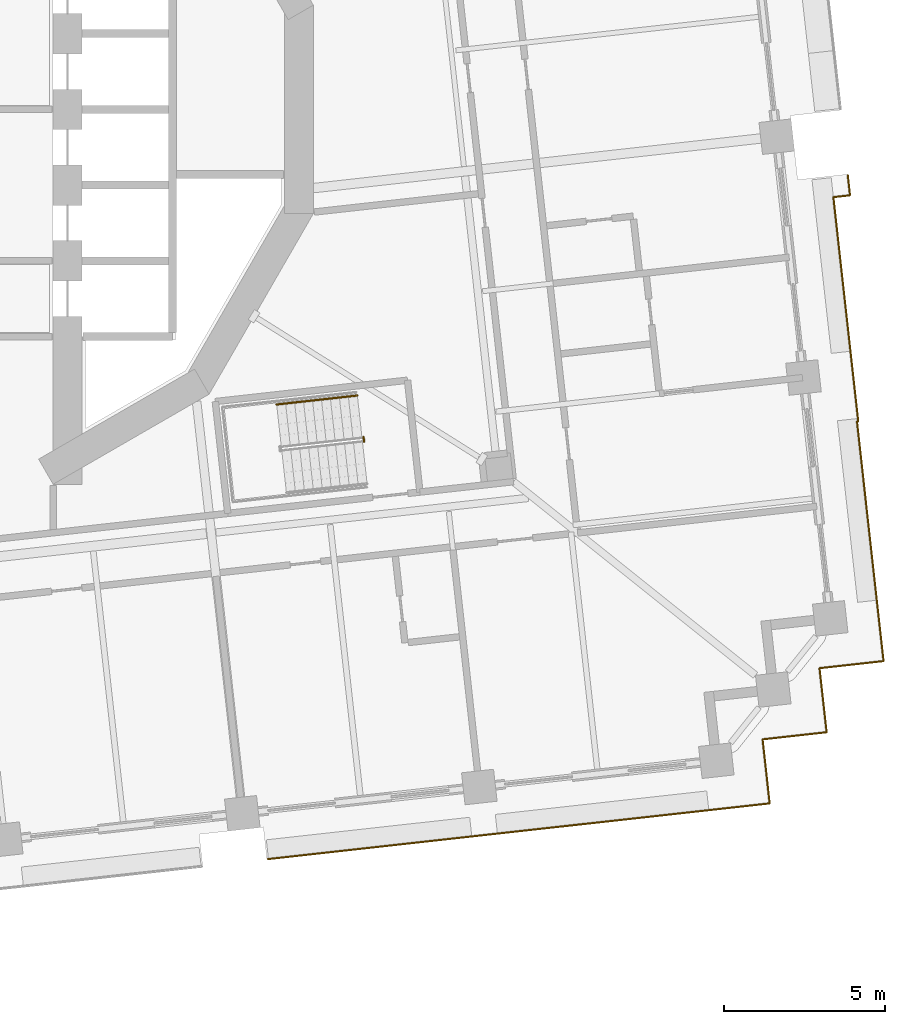
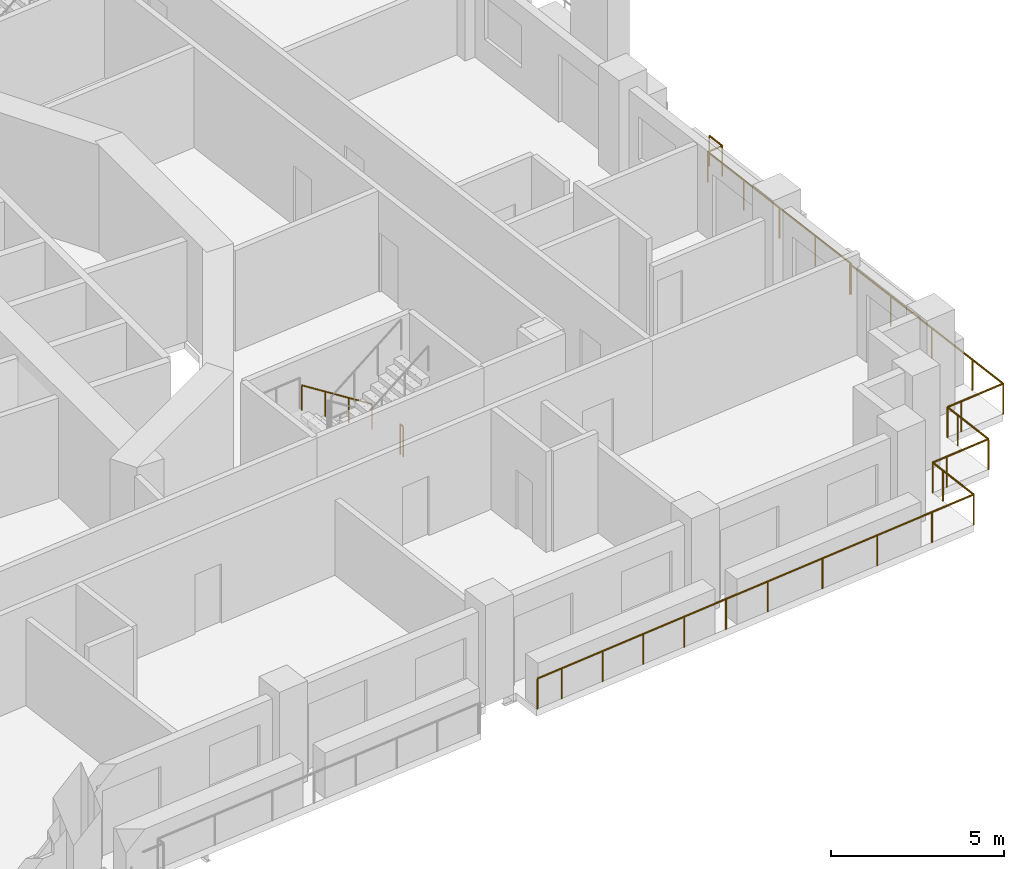
# One storey, part 17 of 21: 4 railings.
"""IFC4 building model written with IfcOpenShell, lengths in metres."""

from ifc_helpers import new_model, si_unit, direction, frame, origin, origin_2d, place, context, subcontext, project, spatial, circle, extrude, material, type_object, element, save


model = new_model("IFC4")

# Units and contexts
model_context = context("Model", 3, precision=1e-05, world=origin(), true_north=direction((0.0, 1.0)))
body_context = subcontext(model_context, "Body", "Model", "MODEL_VIEW")
ifc_project = project(units=[si_unit("LENGTHUNIT", "METRE"), si_unit("AREAUNIT", "SQUARE_METRE"), si_unit("VOLUMEUNIT", "CUBIC_METRE"), si_unit("PLANEANGLEUNIT", "RADIAN"), si_unit("MASSUNIT", "GRAM", prefix="KILO")], contexts=[model_context])

# Site, building, storey
site_placement = place(None, origin())
site = spatial("IfcSite", under=ifc_project, at=site_placement, CompositionType="ELEMENT")
building_placement = place(site_placement, origin())
building = spatial("IfcBuilding", under=site, at=building_placement, Name="Cantera Rosa Tower", CompositionType="ELEMENT")
storey_placement = place(building_placement, frame((0.0, 0.0, 72.89990234375)))
storey = spatial("IfcBuildingStorey", under=building, at=storey_placement, Name="L15", CompositionType="ELEMENT", Elevation=72.89990234375)

# Railings
ifc_material_1 = material(Name="Stainless steel and laminated glass", Category="steel")
railing_type_1 = type_object("IfcRailingType", Name="GUARD 1100", PredefinedType="BALUSTRADE", material=ifc_material_1)
railing_1_placement = place(storey_placement, frame((28.985107421875, -9.681884765625, 0.0)))
element("IfcRailing", 1, at=railing_1_placement, inside=storey, type_object=railing_type_1, Name="GUARD L15-9", PredefinedType="BALUSTRADE", context=body_context, shape_type="SweptSolid", body=[
    extrude(circle(Radius=0.030029296875, at=origin_2d()), frame((0.0, 0.0, 1.070068359375), z_axis=(-0.994030677348, -0.109100928002, 0.0), x_axis=(0.109100928002, -0.994030677348, 0.0)), (0.0, 0.0, 1.0), 0.040283203125),
    extrude(circle(Radius=0.030029296875, at=origin_2d()), frame((-0.0400390625, -0.00439453125, 1.070068359375), z_axis=(0.110315018508, -0.993896673046, 0.0), x_axis=(0.993896673046, 0.110315018508, 0.0)), (0.0, 0.0, 1.0), 5.979736328125),
    extrude(circle(Radius=0.030029296875, at=origin_2d()), frame((0.61962890625, -5.94775390625, 1.070068359375), z_axis=(0.110360064491, -0.993891672249, 0.0), x_axis=(0.993891672249, 0.110360064491, 0.0)), (0.0, 0.0, 1.0), 1.5),
    extrude(circle(Radius=0.030029296875, at=origin_2d()), frame((0.78515625, -7.4384765625, 1.070068359375), z_axis=(-0.993891672249, -0.110360064491, 0.0), x_axis=(0.110360064491, -0.993891672249, 0.0)), (0.0, 0.0, 1.0), 1.5),
    extrude(circle(Radius=0.030029296875, at=origin_2d()), frame((-0.70556640625, -7.60400390625, 1.070068359375), z_axis=(-0.993895635261, -0.110324368158, 0.0), x_axis=(0.110324368158, -0.993895635261, 0.0)), (0.0, 0.0, 1.0), 0.500244140625),
    extrude(circle(Radius=0.030029296875, at=origin_2d()), frame((-1.20263671875, -7.6591796875, 1.070068359375), z_axis=(0.110324368158, -0.993895635261, 0.0), x_axis=(0.993895635261, 0.110324368158, 0.0)), (0.0, 0.0, 1.0), 0.500244140625),
    extrude(circle(Radius=0.030029296875, at=origin_2d()), frame((-1.1474609375, -8.15625, 1.070068359375), z_axis=(0.110360064491, -0.993891672249, 0.0), x_axis=(0.993891672249, 0.110360064491, 0.0)), (0.0, 0.0, 1.0), 1.5),
    extrude(circle(Radius=0.030029296875, at=origin_2d()), frame((-0.98193359375, -9.64697265625, 1.070068359375), z_axis=(-0.993893654236, -0.110342213455, 0.0), x_axis=(0.110342213455, -0.993893654236, 0.0)), (0.0, 0.0, 1.0), 1.500244140625),
    extrude(circle(Radius=0.030029296875, at=origin_2d()), frame((-2.472900390625, -9.8125, 1.070068359375), z_axis=(-0.9938896893, -0.110377921269, 0.0), x_axis=(0.110377921269, -0.9938896893, 0.0)), (0.0, 0.0, 1.0), 0.5),
    extrude(circle(Radius=0.030029296875, at=origin_2d()), frame((-2.9697265625, -9.86767578125, 1.070068359375), z_axis=(0.110377921269, -0.9938896893, 0.0), x_axis=(0.9938896893, 0.110377921269, 0.0)), (0.0, 0.0, 1.0), 0.5),
    extrude(circle(Radius=0.030029296875, at=origin_2d()), frame((-2.91455078125, -10.364501953125, 1.070068359375), z_axis=(0.110181444005, -0.99391148972, 0.0), x_axis=(0.99391148972, 0.110181444005, 0.0)), (0.0, 0.0, 1.0), 1.5),
    extrude(circle(Radius=0.030029296875, at=origin_2d()), frame((-2.749267578125, -11.85546875, 1.070068359375), z_axis=(-0.993909513469, -0.110199269672, 0.0), x_axis=(0.110199269672, -0.993909513469, 0.0)), (0.0, 0.0, 1.0), 1.499755859375),
    extrude(circle(Radius=0.030029296875, at=origin_2d()), frame((-4.239990234375, -12.020751953125, 1.070068359375), z_axis=(-0.993896343916, -0.1103179838, 0.0), x_axis=(0.1103179838, -0.993896343916, 0.0)), (0.0, 0.0, 1.0), 5.900146484375),
    extrude(circle(Radius=0.030029296875, at=origin_2d()), frame((-10.10400390625, -12.671630859375, 1.070068359375), z_axis=(-0.993892663362, -0.110351138256, 0.0), x_axis=(0.110351138256, -0.993892663362, 0.0)), (0.0, 0.0, 1.0), 3.0),
    extrude(circle(Radius=0.030029296875, at=origin_2d()), frame((-13.085693359375, -13.002685546875, 1.070068359375), z_axis=(-0.993897260817, -0.110309722784, 0.0), x_axis=(0.110309722784, -0.993897260817, 0.0)), (0.0, 0.0, 1.0), 4.39990234375),
    extrude(circle(Radius=0.030029296875, at=origin_2d()), frame((-17.458740234375, -13.488037109375, 1.070068359375), z_axis=(-0.993900832769, -0.110277534522, 0.0), x_axis=(0.110277534522, -0.993900832769, 0.0)), (0.0, 0.0, 1.0), 0.8701171875),
    extrude(circle(Radius=0.02490234375, at=origin_2d()), origin(), (0.0, 0.0, 1.0), 1.0400390625),
    extrude(circle(Radius=0.02490234375, at=origin_2d()), frame((-0.0400390625, -0.00439453125, 0.0)), (0.0, 0.0, 1.0), 1.0400390625),
    extrude(circle(Radius=0.02490234375, at=origin_2d()), frame((0.179931640625, -1.985595703125, 0.0)), (0.0, 0.0, 1.0), 1.0400390625),
    extrude(circle(Radius=0.02490234375, at=origin_2d()), frame((0.399658203125, -3.966552734375, 0.0)), (0.0, 0.0, 1.0), 1.0400390625),
    extrude(circle(Radius=0.02490234375, at=origin_2d()), frame((0.61962890625, -5.94775390625, 0.0)), (0.0, 0.0, 1.0), 1.0400390625),
    extrude(circle(Radius=0.02490234375, at=origin_2d()), frame((0.78515625, -7.4384765625, 0.0)), (0.0, 0.0, 1.0), 1.0400390625),
    extrude(circle(Radius=0.02490234375, at=origin_2d()), frame((-0.70556640625, -7.60400390625, 0.0)), (0.0, 0.0, 1.0), 1.0400390625),
    extrude(circle(Radius=0.02490234375, at=origin_2d()), frame((-1.20263671875, -7.6591796875, 0.0)), (0.0, 0.0, 1.0), 1.0400390625),
    extrude(circle(Radius=0.02490234375, at=origin_2d()), frame((-1.1474609375, -8.15625, 0.0)), (0.0, 0.0, 1.0), 1.0400390625),
    extrude(circle(Radius=0.02490234375, at=origin_2d()), frame((-0.98193359375, -9.64697265625, 0.0)), (0.0, 0.0, 1.0), 1.0400390625),
    extrude(circle(Radius=0.02490234375, at=origin_2d()), frame((-2.472900390625, -9.8125, 0.0)), (0.0, 0.0, 1.0), 1.0400390625),
    extrude(circle(Radius=0.02490234375, at=origin_2d()), frame((-2.9697265625, -9.86767578125, 0.0)), (0.0, 0.0, 1.0), 1.0400390625),
    extrude(circle(Radius=0.02490234375, at=origin_2d()), frame((-2.91455078125, -10.364501953125, 0.0)), (0.0, 0.0, 1.0), 1.0400390625),
    extrude(circle(Radius=0.02490234375, at=origin_2d()), frame((-2.749267578125, -11.85546875, 0.0)), (0.0, 0.0, 1.0), 1.0400390625),
    extrude(circle(Radius=0.02490234375, at=origin_2d()), frame((-4.239990234375, -12.020751953125, 0.0)), (0.0, 0.0, 1.0), 1.0400390625),
    extrude(circle(Radius=0.02490234375, at=origin_2d()), frame((-6.194580078125, -12.23779296875, 0.0)), (0.0, 0.0, 1.0), 1.0400390625),
    extrude(circle(Radius=0.02490234375, at=origin_2d()), frame((-8.1494140625, -12.45458984375, 0.0)), (0.0, 0.0, 1.0), 1.0400390625),
    extrude(circle(Radius=0.02490234375, at=origin_2d()), frame((-10.10400390625, -12.671630859375, 0.0)), (0.0, 0.0, 1.0), 1.0400390625),
    extrude(circle(Radius=0.02490234375, at=origin_2d()), frame((-11.5947265625, -12.837158203125, 0.0)), (0.0, 0.0, 1.0), 1.0400390625),
    extrude(circle(Radius=0.02490234375, at=origin_2d()), frame((-13.085693359375, -13.002685546875, 0.0)), (0.0, 0.0, 1.0), 1.0400390625),
    extrude(circle(Radius=0.02490234375, at=origin_2d()), frame((-14.54345703125, -13.16455078125, 0.0)), (0.0, 0.0, 1.0), 1.0400390625),
    extrude(circle(Radius=0.02490234375, at=origin_2d()), frame((-16.0009765625, -13.326171875, 0.0)), (0.0, 0.0, 1.0), 1.0400390625),
    extrude(circle(Radius=0.02490234375, at=origin_2d()), frame((-17.458740234375, -13.488037109375, 0.0)), (0.0, 0.0, 1.0), 1.0400390625),
    extrude(circle(Radius=0.02490234375, at=origin_2d()), frame((-18.323486328125, -13.583984375, 0.0)), (0.0, 0.0, 1.0), 1.0400390625),
])
railing_2_placement = place(storey_placement, frame((28.659423828125, -2.041015625, 0.0)))
element("IfcRailing", 2, at=railing_2_placement, inside=storey, type_object=railing_type_1, Name="GUARD L15-10", PredefinedType="BALUSTRADE", context=body_context, shape_type="SweptSolid", body=[
    extrude(circle(Radius=0.030029296875, at=origin_2d()), frame((0.0, 0.0, 1.070068359375), z_axis=(0.110559257296, -0.993869534006, 0.0), x_axis=(0.993869534006, 0.110559257296, 0.0)), (0.0, 0.0, 1.0), 0.62939453125),
    extrude(circle(Radius=0.030029296875, at=origin_2d()), frame((0.069580078125, -0.62548828125, 1.070068359375), z_axis=(-0.993883734674, -0.110431526075, 0.0), x_axis=(0.110431526075, -0.993883734674, 0.0)), (0.0, 0.0, 1.0), 0.51953125),
    extrude(circle(Radius=0.030029296875, at=origin_2d()), frame((-0.44677734375, -0.682861328125, 1.070068359375), z_axis=(0.110339663776, -0.993893937298, 0.0), x_axis=(0.993893937298, 0.110339663776, 0.0)), (0.0, 0.0, 1.0), 7.000732421875),
    extrude(circle(Radius=0.02490234375, at=origin_2d()), origin(), (0.0, 0.0, 1.0), 1.0400390625),
    extrude(circle(Radius=0.02490234375, at=origin_2d()), frame((0.069580078125, -0.62548828125, 0.0)), (0.0, 0.0, 1.0), 1.0400390625),
    extrude(circle(Radius=0.02490234375, at=origin_2d()), frame((-0.44677734375, -0.682861328125, 0.0)), (0.0, 0.0, 1.0), 1.0400390625),
    extrude(circle(Radius=0.02490234375, at=origin_2d()), frame((-0.253662109375, -2.42236328125, 0.0)), (0.0, 0.0, 1.0), 1.0400390625),
    extrude(circle(Radius=0.02490234375, at=origin_2d()), frame((-0.060546875, -4.161865234375, 0.0)), (0.0, 0.0, 1.0), 1.0400390625),
    extrude(circle(Radius=0.02490234375, at=origin_2d()), frame((0.132568359375, -5.9013671875, 0.0)), (0.0, 0.0, 1.0), 1.0400390625),
    extrude(circle(Radius=0.02490234375, at=origin_2d()), frame((0.32568359375, -7.640869140625, 0.0)), (0.0, 0.0, 1.0), 1.0400390625),
])
ifc_material_2 = material(Name="Steel S355J2 (EN 10025-2)", Category="steel")
railing_type_2 = type_object("IfcRailingType", Name="STAIR GUARD 1100", PredefinedType="GUARDRAIL", material=ifc_material_2)
railing_3_placement = place(storey_placement, frame((13.6328125, -10.16552734375, 0.0)))
element("IfcRailing", 3, at=railing_3_placement, inside=storey, type_object=railing_type_2, Name="L15 ST-14 stair guard 3", PredefinedType="GUARDRAIL", context=body_context, shape_type="SweptSolid", body=[
    extrude(circle(Radius=0.02392578125, at=origin_2d()), frame((0.0, 0.0, 1.076171875), z_axis=(0.110610055588, -0.993863881828, 0.0), x_axis=(0.993863881828, 0.110610055588, 0.0)), (0.0, 0.0, 1.0), 0.150146484375),
    extrude(circle(Radius=0.02099609375, at=origin_2d()), origin(), (0.0, 0.0, 1.0), 1.052001953125),
    extrude(circle(Radius=0.02099609375, at=origin_2d()), frame((0.0166015625, -0.149169921875, 0.0)), (0.0, 0.0, 1.0), 1.052001953125),
])
ifc_material_3 = material(Name="Steel S355J2 (EN 10025-2)", Category="steel")
railing_type_3 = type_object("IfcRailingType", Name="STAIR HANDRAIL 900", PredefinedType="HANDRAIL", material=ifc_material_3)
railing_4_placement = place(storey_placement, frame((13.439697265625, -8.87890625, 0.190185546875)))
element("IfcRailing", 4, at=railing_4_placement, inside=storey, type_object=railing_type_3, Name="L15 ST-14 stair handrail 1", PredefinedType="HANDRAIL", context=body_context, shape_type="SweptSolid", body=[
    extrude(circle(Radius=0.02392578125, at=origin_2d()), frame((0.0, 0.0, 0.8759765625), z_axis=(-0.822431337597, -0.091310000343, 0.561488360321), x_axis=(0.110346460196, -0.993893182753, 0.0)), (0.0, 0.0, 1.0), 3.04541015625),
    extrude(circle(Radius=0.02099609375, at=origin_2d()), origin(), (0.0, 0.0, 1.0), 0.851806640625),
    extrude(circle(Radius=0.02099609375, at=origin_2d()), frame((-0.8349609375, -0.0927734375, 0.570068359375)), (0.0, 0.0, 1.0), 0.851806640625),
    extrude(circle(Radius=0.02099609375, at=origin_2d()), frame((-1.669677734375, -0.185302734375, 1.139892578125)), (0.0, 0.0, 1.0), 0.851806640625),
    extrude(circle(Radius=0.02099609375, at=origin_2d()), frame((-2.504638671875, -0.278076171875, 1.7099609375)), (0.0, 0.0, 1.0), 0.851806640625),
])

save(model, "model.ifc")
